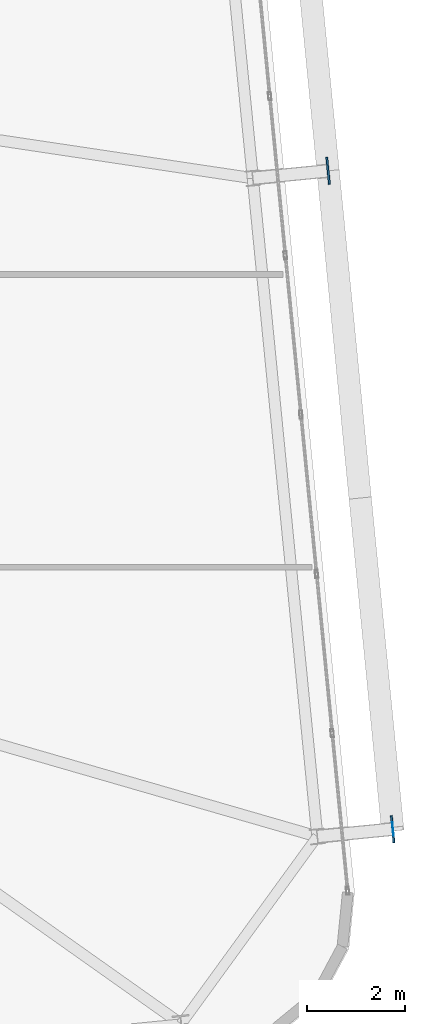
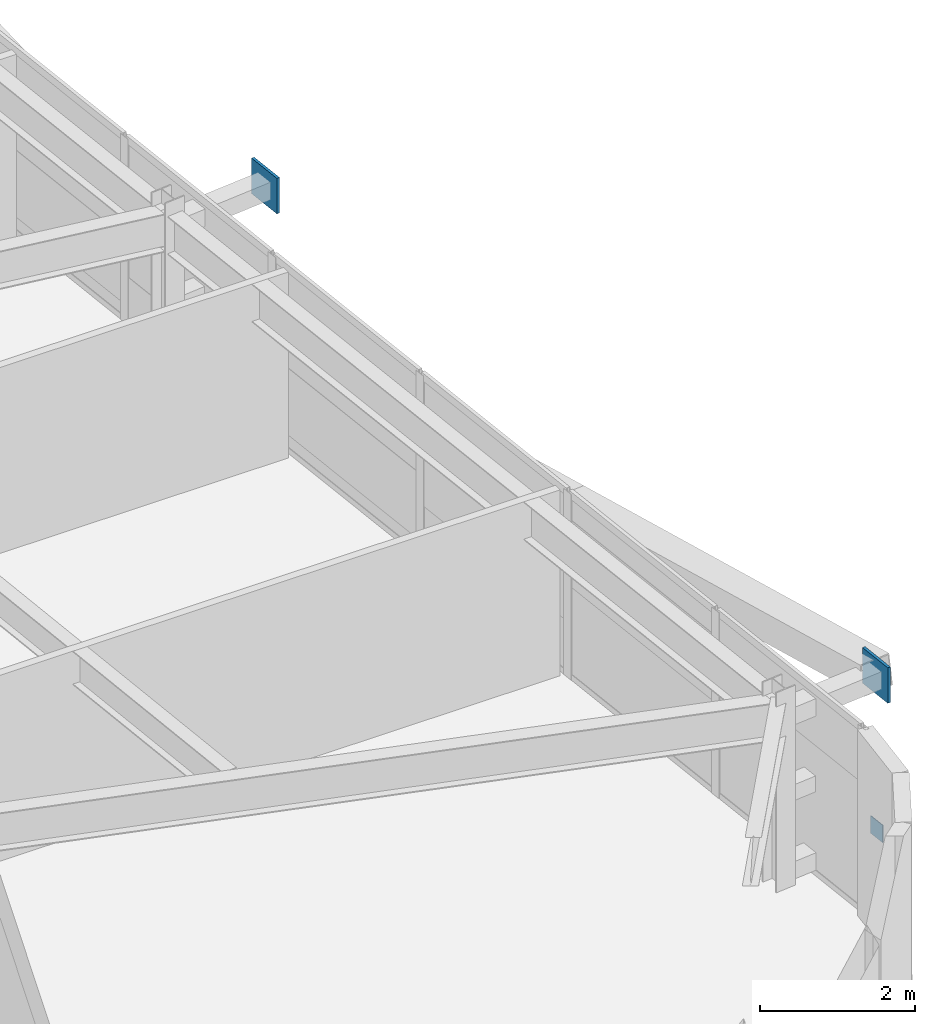
# One storey, part 40 of 51: 3 plates.
"""IFC4 building model written with IfcOpenShell, lengths in metres."""

from ifc_helpers import new_model, si_unit, direction, frame, origin, origin_2d, place, context, subcontext, project, spatial, rectangle, extrude, source, transform, mapped, material, layer, layer_set, type_object, element, save


model = new_model("IFC4")

# Units and contexts
model_context = context("Model", 3, precision=1e-05, world=origin(), true_north=direction((0.0, 1.0)))
body_context = subcontext(model_context, "Body", "Model", "MODEL_VIEW")
ifc_project = project(units=[si_unit("LENGTHUNIT", "METRE"), si_unit("AREAUNIT", "SQUARE_METRE"), si_unit("VOLUMEUNIT", "CUBIC_METRE"), si_unit("PLANEANGLEUNIT", "RADIAN"), si_unit("MASSUNIT", "GRAM", prefix="KILO")], contexts=[model_context])

# Site, building, storey
site_placement = place(None, origin())
site = spatial("IfcSite", under=ifc_project, at=site_placement, CompositionType="ELEMENT")
building_placement = place(site_placement, origin())
building = spatial("IfcBuilding", under=site, at=building_placement, Name="Taldren Reach Tower", CompositionType="ELEMENT")
storey_placement = place(building_placement, frame((0.0, 0.0, 65.10009765625)))
storey = spatial("IfcBuildingStorey", under=building, at=storey_placement, Name="L19", CompositionType="ELEMENT", Elevation=65.10009765625)

# Plates
ifc_material = material(Name="Steel Gr 450 (C450L0)", Category="steel")
ifc_layer_1 = layer(ifc_material, 0.0400390625)
ifc_layer_set_1 = layer_set([ifc_layer_1], Name="Steel Gr 450 (C450L0)")
plate_type_1 = type_object("IfcPlateType", Name="PL-GUSSET-40", PredefinedType="SHEET", material=ifc_layer_set_1)
shared_shape_1 = source(origin(), body_context, "Body", "SweptSolid", [
    extrude(rectangle(XDim=0.56005859375, YDim=0.0400390625, at=origin_2d()), origin(), (0.0, 0.0, 1.0), 0.56005859375),
])
for number, where, z_axis, x_axis, name in (
    (1, (67.434326171875, 8.634765625, 2.369873046875), (0.0, 0.0, 1.0), (-0.097582899759, 0.995227399982, 0.0), "Exoskeleton star-node gusset plate B2-E1 L19"),
    (2, (66.112060546875, 22.1201171875, 2.369873046875), (0.0, 0.0, 1.0), (-0.097582899759, 0.995227399982, 0.0), "Exoskeleton star-node gusset plate B2-E2 L19"),
):
    element("IfcPlate", number, at=place(storey_placement, frame(where, z_axis=z_axis, x_axis=x_axis)), inside=storey, type_object=plate_type_1, Name=name, PredefinedType="SHEET", context=body_context, shape_type="MappedRepresentation", body=[
        mapped(shared_shape_1, transform((0.0, 0.0, 0.0), scale=1.0)),
    ])
ifc_layer_2 = layer(ifc_material, 0.011962890625)
ifc_layer_set_2 = layer_set([ifc_layer_2], Name="Steel Gr 450 (C450L0)")
plate_type_2 = type_object("IfcPlateType", Name="PL-CAP-275", PredefinedType="SHEET", material=ifc_layer_set_2)
shared_shape_2 = source(origin(), body_context, "Body", "SweptSolid", [
    extrude(rectangle(XDim=0.011962890625, YDim=0.27490234375, at=origin_2d()), origin(), (0.0, 0.0, 1.0), 0.27490234375),
])
plate_placement = place(storey_placement, frame((67.440185546875, 8.635498046875, 0.08251953125), z_axis=(0.0, 0.0, 1.0), x_axis=(0.995227399982, 0.097582899759, 0.0)))
element("IfcPlate", 3, at=plate_placement, inside=storey, type_object=plate_type_2, Name="Tie strut end cap plate B2-E1 L19", PredefinedType="SHEET", context=body_context, shape_type="MappedRepresentation", body=[
    mapped(shared_shape_2, transform((0.0, 0.0, 0.0), scale=1.0)),
])

save(model, "model.ifc")
